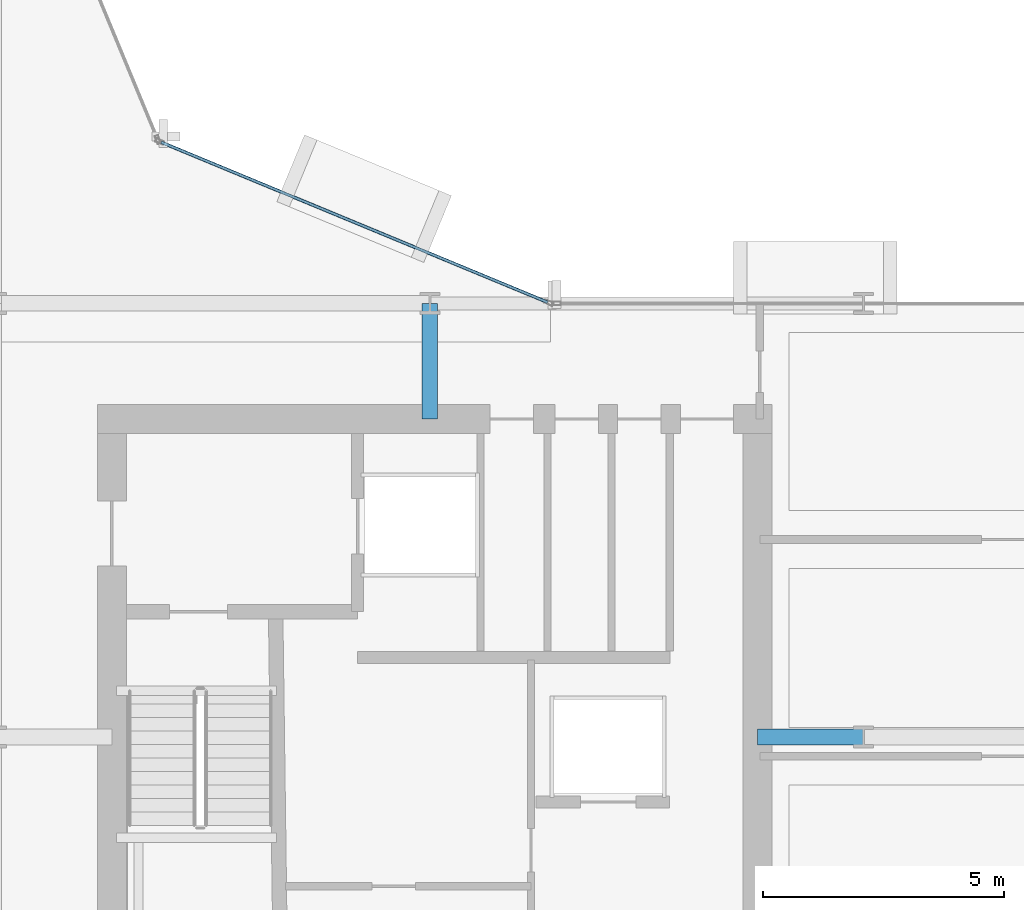
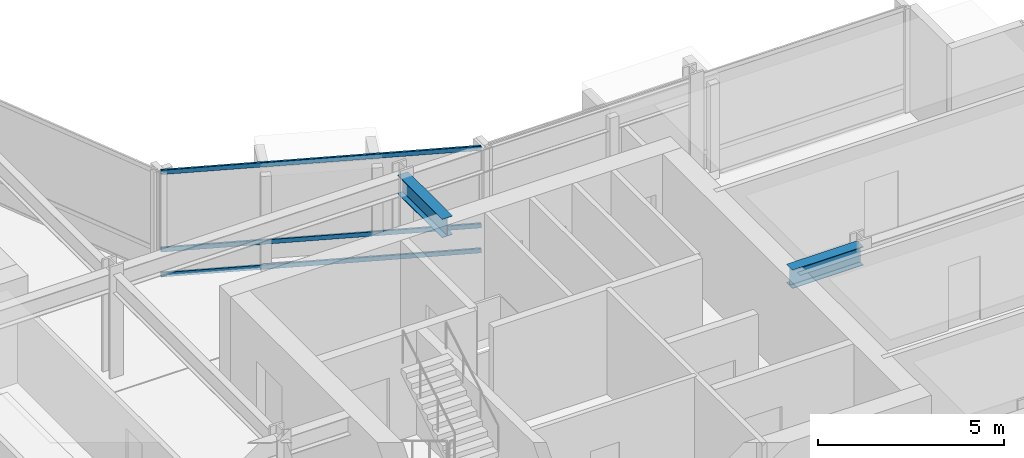
# One storey, part 12 of 29: 3 members, 2 beams, 1 element without a shape of its own.
"""IFC4 building model written with IfcOpenShell, lengths in metres."""

from ifc_helpers import new_model, si_unit, direction, frame, origin, origin_2d, place, context, subcontext, project, spatial, hollow_rectangle, i_section, extrude, material, layer, layer_set, material_profile, profile_set, type_object, element, aggregate, save


model = new_model("IFC4")

# Units and contexts
model_context = context("Model", 3, precision=1e-05, world=origin(), true_north=direction((0.0, 1.0)))
body_context = subcontext(model_context, "Body", "Model", "MODEL_VIEW")
ifc_project = project(units=[si_unit("LENGTHUNIT", "METRE"), si_unit("AREAUNIT", "SQUARE_METRE"), si_unit("VOLUMEUNIT", "CUBIC_METRE"), si_unit("PLANEANGLEUNIT", "RADIAN"), si_unit("MASSUNIT", "GRAM", prefix="KILO")], contexts=[model_context])

# Site, building, storey
site_placement = place(None, origin())
site = spatial("IfcSite", under=ifc_project, at=site_placement, CompositionType="ELEMENT")
building_placement = place(site_placement, origin())
building = spatial("IfcBuilding", under=site, at=building_placement, Name="Solvaryn Broadcast Tower", CompositionType="ELEMENT")
storey_placement = place(building_placement, frame((0.0, 0.0, 117.39990234375)))
storey = spatial("IfcBuildingStorey", under=building, at=storey_placement, Name="L28", CompositionType="ELEMENT", Elevation=117.39990234375)

# Beams
ifc_material_1 = material(Name="Steel ASTM A992 Grade 50", Category="steel")
ifc_material_profile_1 = material_profile(ifc_material_1, i_section(OverallWidth=0.323974609375, OverallDepth=0.611083984375, WebThickness=0.0126953125, FlangeThickness=0.01904296875, FilletRadius=0.014892578125, at=origin_2d()))
ifc_profile_set_1 = profile_set([ifc_material_profile_1], Name="Steel ASTM A992 Grade 50")
beam_type = type_object("IfcBeamType", Name="BM-B1-W24X104", PredefinedType="BEAM", material=ifc_profile_set_1)
beam_1_placement = place(storey_placement, frame((36.0, 24.60009765625, 3.114501953125), z_axis=(0.0, 1.0, 0.0), x_axis=(-1.0, 0.0, 0.0)))
element("IfcBeam", 1, at=beam_1_placement, inside=storey, type_object=beam_type, Name="L28 Core Tie Beam CTE2", PredefinedType="BEAM", context=body_context, shape_type="SweptSolid", body=[
    extrude(i_section(OverallWidth=0.323974609375, OverallDepth=0.611083984375, WebThickness=0.0126953125, FlangeThickness=0.01904296875, FilletRadius=0.014892578125, at=origin_2d()), origin(), (0.0, 0.0, 1.0), 2.39990234375),
])
beam_2_placement = place(storey_placement, frame((42.800048828125, 18.0, 3.114501953125), z_axis=(1.0, 0.0, 0.0), x_axis=(0.0, 1.0, 0.0)))
element("IfcBeam", 2, at=beam_2_placement, inside=storey, type_object=beam_type, Name="L28 Core Tie Beam CTE3", PredefinedType="BEAM", context=body_context, shape_type="SweptSolid", body=[
    extrude(i_section(OverallWidth=0.323974609375, OverallDepth=0.611083984375, WebThickness=0.0126953125, FlangeThickness=0.01904296875, FilletRadius=0.014892578125, at=origin_2d()), origin(), (0.0, 0.0, 1.0), 2.199951171875),
])

# Curtain wall, members
ifc_material_2 = material(Name="Aluminium and Terracotta Unitised Curtain Wall", Category="masonry")
ifc_layer = layer(ifc_material_2, 0.199951171875)
ifc_layer_set = layer_set([ifc_layer], Name="CW-SYS2-LOWMID")
curtain_wall_type = type_object("IfcCurtainWallType", Name="CW-SYS2-LOWMID", PredefinedType="NOTDEFINED", material=ifc_layer_set)
curtain_wall_placement = place(storey_placement, origin())
curtain_wall = element("IfcCurtainWall", 3, at=curtain_wall_placement, inside=storey, type_object=curtain_wall_type, Name="L28 Curtain Wall CN1", PredefinedType="NOTDEFINED")
ifc_material_3 = material(Name="Anodised Aluminium 6063-T6", Category="aluminium")
ifc_material_profile_2 = material_profile(ifc_material_3, hollow_rectangle(XDim=0.06494140625, YDim=0.14990234375, WallThickness=0.00390625, InnerFilletRadius=0.00390625, OuterFilletRadius=0.008056640625, at=origin_2d()))
ifc_profile_set_2 = profile_set([ifc_material_profile_2], Name="Anodised Aluminium 6063-T6")
member_type = type_object("IfcMemberType", Name="CW-TRN-150", PredefinedType="USERDEFINED", material=ifc_profile_set_2)
member_1_placement = place(storey_placement, frame((38.444580078125, 27.02294921875, 0.030029296875), z_axis=(-0.923899282177, 0.382635748975, 0.0), x_axis=(-0.382635748975, -0.923899282177, 0.0)))
member_1 = element("IfcMember", 4, at=member_1_placement, type_object=member_type, Name="CWS2 transom 1.1", ObjectType="TRANSOM", PredefinedType="USERDEFINED", context=body_context, shape_type="SweptSolid", body=[
    extrude(hollow_rectangle(XDim=0.06494140625, YDim=0.14990234375, WallThickness=0.00390625, InnerFilletRadius=0.00390625, OuterFilletRadius=0.008056640625, at=origin_2d()), origin(), (0.0, 0.0, 1.0), 8.681884765625),
])
member_2_placement = place(storey_placement, frame((38.444580078125, 27.02294921875, 0.85009765625), z_axis=(-0.923899282177, 0.382635748975, 0.0), x_axis=(-0.382635748975, -0.923899282177, 0.0)))
member_2 = element("IfcMember", 5, at=member_2_placement, type_object=member_type, Name="CWS2 transom 1.2", ObjectType="TRANSOM", PredefinedType="USERDEFINED", context=body_context, shape_type="SweptSolid", body=[
    extrude(hollow_rectangle(XDim=0.06494140625, YDim=0.14990234375, WallThickness=0.00390625, InnerFilletRadius=0.00390625, OuterFilletRadius=0.008056640625, at=origin_2d()), origin(), (0.0, 0.0, 1.0), 8.681884765625),
])
member_3_placement = place(storey_placement, frame((38.444580078125, 27.02294921875, 3.39013671875), z_axis=(-0.923899282177, 0.382635748975, 0.0), x_axis=(-0.382635748975, -0.923899282177, 0.0)))
member_3 = element("IfcMember", 6, at=member_3_placement, type_object=member_type, Name="CWS2 transom 1.3", ObjectType="TRANSOM", PredefinedType="USERDEFINED", context=body_context, shape_type="SweptSolid", body=[
    extrude(hollow_rectangle(XDim=0.06494140625, YDim=0.14990234375, WallThickness=0.00390625, InnerFilletRadius=0.00390625, OuterFilletRadius=0.008056640625, at=origin_2d()), origin(), (0.0, 0.0, 1.0), 8.681884765625),
])
aggregate(curtain_wall, [member_1, member_2, member_3])

save(model, "model.ifc")
